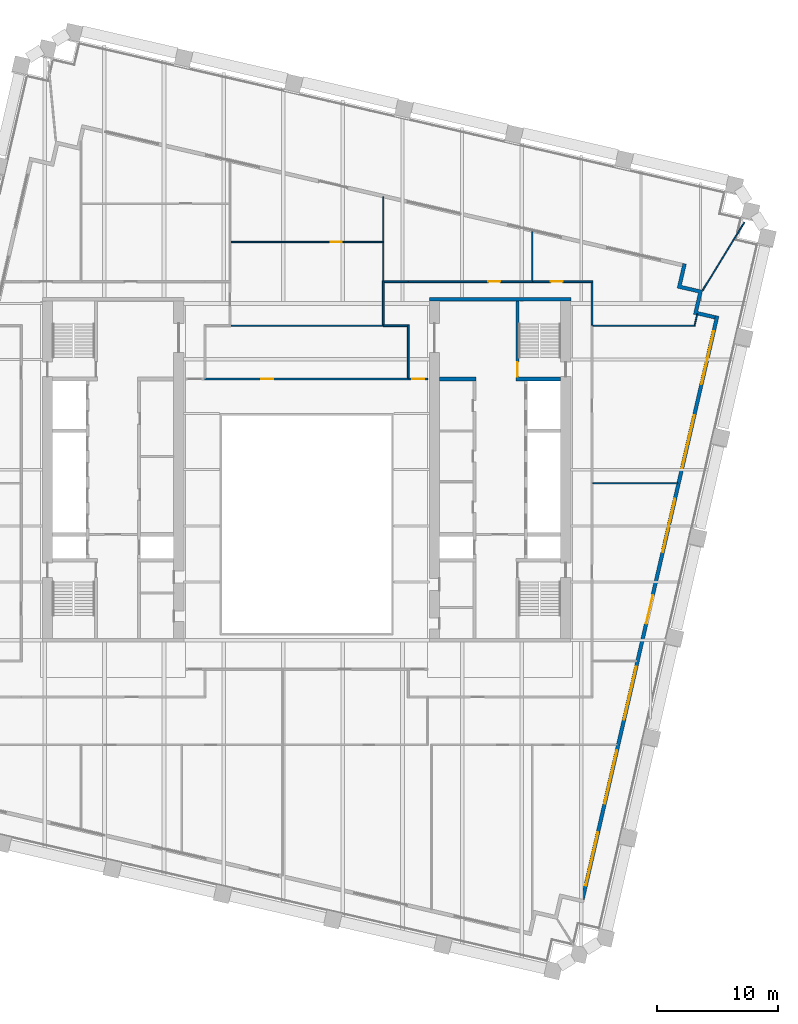
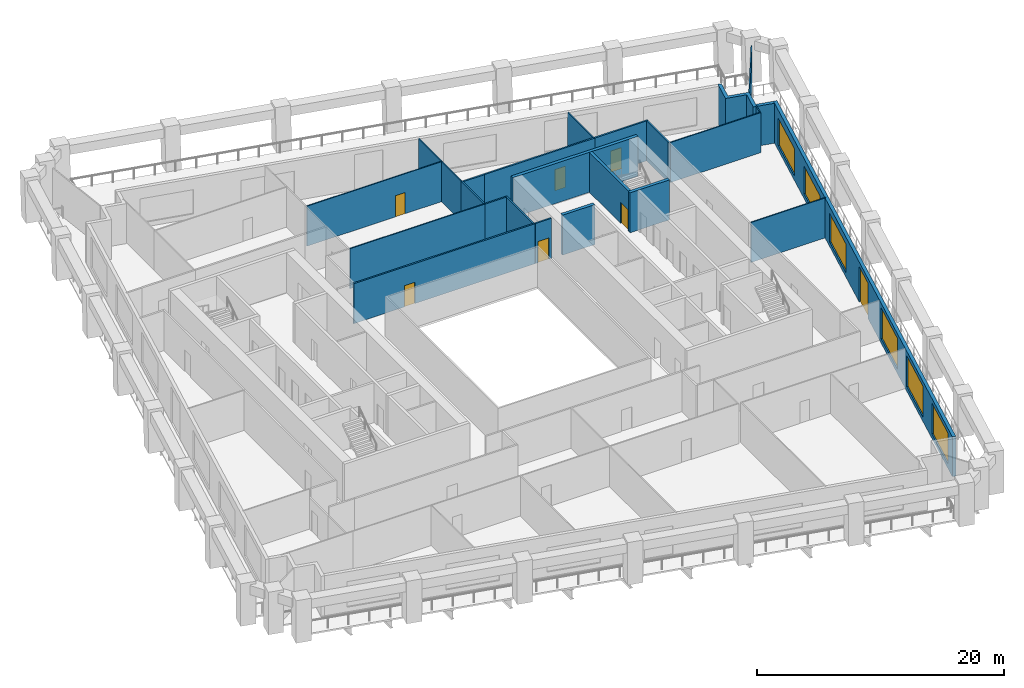
# One storey, part 7 of 10: 24 walls, 7 doors, 6 windows, 13 openings.
"""IFC4 building model written with IfcOpenShell, lengths in metres."""

from ifc_helpers import new_model, si_unit, direction, frame, frame_2d, origin, place, context, subcontext, project, spatial, polyline, rectangle, outline, extrude, material, layer, layer_set, type_object, element, fill, save


model = new_model("IFC4")

# Units and contexts
model_context = context("Model", 3, precision=1e-05, world=origin(), true_north=direction((0.0, 1.0)))
body_context = subcontext(model_context, "Body", "Model", "MODEL_VIEW")
ifc_project = project(units=[si_unit("LENGTHUNIT", "METRE"), si_unit("AREAUNIT", "SQUARE_METRE"), si_unit("VOLUMEUNIT", "CUBIC_METRE"), si_unit("PLANEANGLEUNIT", "RADIAN"), si_unit("MASSUNIT", "GRAM", prefix="KILO")], contexts=[model_context])

# Site, building, storey
site_placement = place(None, origin())
site = spatial("IfcSite", under=ifc_project, at=site_placement, CompositionType="ELEMENT")
building_placement = place(site_placement, origin())
building = spatial("IfcBuilding", under=site, at=building_placement, Name="Ogive Exchange Tower", CompositionType="ELEMENT")
storey_placement = place(building_placement, frame((0.0, 0.0, 151.800048828125)))
storey = spatial("IfcBuildingStorey", under=building, at=storey_placement, Name="L33", CompositionType="ELEMENT", Elevation=151.800048828125)

# Wall
ifc_material_1 = material(Name="Gypsum board partition")
ifc_layer_1 = layer(ifc_material_1, 0.300048828125)
ifc_layer_set_1 = layer_set([ifc_layer_1], Name="Core room partition 300 gypsum")
wall_type_1 = type_object("IfcWallType", Name="Core room partition 300 gypsum", PredefinedType="PARTITIONING", material=ifc_layer_set_1)
wall_1_placement = place(storey_placement, frame((11.0, 19.0, 0.0), z_axis=(0.0, 0.0, 1.0), x_axis=(1.0, 0.0, 0.0)))
element("IfcWall", 1, at=wall_1_placement, inside=storey, type_object=wall_type_1, Name="E row B room end wall 7", PredefinedType="PARTITIONING", context=body_context, shape_type="SweptSolid", body=[
    extrude(rectangle(XDim=3.0, YDim=0.300048828125, at=frame_2d((1.5, 0.0))), origin(), (0.0, 0.0, 1.0), 3.949951171875),
])

# Wall, opening, door
ifc_material_2 = material(Name="Fire partition EI 60 150")
ifc_layer_2 = layer(ifc_material_2, 0.14990234375)
ifc_layer_set_2 = layer_set([ifc_layer_2], Name="Fire partition EI 60 150")
wall_type_2 = type_object("IfcWallType", Name="Fire partition EI 60 150", PredefinedType="PARTITIONING", material=ifc_layer_set_2)
wall_2_placement = place(storey_placement, frame((-8.47509765625, 19.0, 0.0), z_axis=(0.0, 0.0, 1.0), x_axis=(1.0, 0.0, 0.0)))
wall_2 = element("IfcWall", 2, at=wall_2_placement, inside=storey, type_object=wall_type_2, Name="L33-PWL-023", PredefinedType="PARTITIONING", context=body_context, shape_type="SweptSolid", body=[
    extrude(rectangle(XDim=16.9501953125, YDim=0.14990234375, at=frame_2d((8.47509765625, 0.0))), origin(), (0.0, 0.0, 1.0), 3.949951171875),
])
opening_1_placement = place(wall_2_placement, frame((4.72509765625, 0.0, 0.0)))
opening_1 = element("IfcOpeningElement", 3, at=opening_1_placement, cuts=wall_2, Name="Opening L33-I02", PredefinedType="OPENING", context=body_context, shape_type="SweptSolid", body=[
    extrude(rectangle(XDim=1.0, YDim=2.10009765625, at=frame_2d((0.5, 1.050048828125))), frame((0.0, 0.0849609375, 0.0), z_axis=(0.0, -1.0, 0.0), x_axis=(1.0, 0.0, 0.0)), (0.0, 0.0, 1.0), 0.169921875),
])
ifc_material_3 = material(Name="Fire door FD 30S 1000 x 2100")
door_type_1 = type_object("IfcDoorType", Name="Fire door FD 30S 1000 x 2100", OperationType="NOTDEFINED", PredefinedType="DOOR", material=ifc_material_3)
door_1_placement = place(opening_1_placement, origin())
door_1 = element("IfcDoor", 4, at=door_1_placement, inside=storey, type_object=door_type_1, Name="L33-IDR-002", ObjectType="DT3", OperationType="SINGLE_SWING_LEFT", OverallHeight=2.10009765625, OverallWidth=1.0, PredefinedType="DOOR", context=body_context, shape_type="SweptSolid", body=[
    extrude(rectangle(XDim=1.0, YDim=2.10009765625, at=frame_2d((0.5, 1.050048828125))), frame((0.0, 0.02490234375, 0.0), z_axis=(0.0, -1.0, 0.0), x_axis=(1.0, 0.0, 0.0)), (0.0, 0.0, 1.0), 0.050048828125),
])
fill(opening_1, door_1)

# Walls
wall_3_placement = place(storey_placement, frame((6.340087890625, 23.4599609375, 0.0), z_axis=(0.0, 0.0, 1.0), x_axis=(0.0, 1.0, 0.0)))
element("IfcWall", 5, at=wall_3_placement, inside=storey, type_object=wall_type_2, Name="L33-PWL-037", PredefinedType="PARTITIONING", context=body_context, shape_type="SweptSolid", body=[
    extrude(rectangle(XDim=3.655029296875, YDim=0.14990234375, at=frame_2d((1.82763671875, 0.0))), origin(), (0.0, 0.0, 1.0), 3.949951171875),
])
wall_4_placement = place(storey_placement, frame((6.4150390625, 27.0400390625, 0.0), z_axis=(0.0, 0.0, 1.0), x_axis=(1.0, 0.0, 0.0)))
element("IfcWall", 6, at=wall_4_placement, inside=storey, type_object=wall_type_2, Name="L33-PWL-039", PredefinedType="PARTITIONING", context=body_context, shape_type="SweptSolid", body=[
    extrude(rectangle(XDim=1.98486328125, YDim=0.14990234375, at=frame_2d((0.992431640625, 0.0))), origin(), (0.0, 0.0, 1.0), 3.949951171875),
])
wall_5_placement = place(storey_placement, frame((8.39990234375, 19.074951171875, 0.0), z_axis=(0.0, 0.0, 1.0), x_axis=(0.0, 1.0, 0.0)))
element("IfcWall", 7, at=wall_5_placement, inside=storey, type_object=wall_type_2, Name="L33-PWL-043", PredefinedType="PARTITIONING", context=body_context, shape_type="SweptSolid", body=[
    extrude(rectangle(XDim=4.41015625, YDim=0.14990234375, at=frame_2d((2.205078125, 0.0))), origin(), (0.0, 0.0, 1.0), 3.949951171875),
])
wall_6_placement = place(storey_placement, frame((8.324951171875, 23.409912109375, 0.0), z_axis=(0.0, 0.0, 1.0), x_axis=(-1.0, 0.0, 0.0)))
element("IfcWall", 8, at=wall_6_placement, inside=storey, type_object=wall_type_2, Name="L33-PWL-044", PredefinedType="PARTITIONING", context=body_context, shape_type="SweptSolid", body=[
    extrude(rectangle(XDim=1.98486328125, YDim=0.14990234375, at=frame_2d((0.992431640625, 0.0))), origin(), (0.0, 0.0, 1.0), 3.949951171875),
])

# Wall, opening, door
wall_7_placement = place(storey_placement, frame((8.39990234375, 27.050048828125, 0.0), z_axis=(0.0, 0.0, 1.0), x_axis=(1.0, 0.0, 0.0)))
wall_7 = element("IfcWall", 9, at=wall_7_placement, inside=storey, type_object=wall_type_2, Name="L33-PWL-045", PredefinedType="PARTITIONING", context=body_context, shape_type="SweptSolid", body=[
    extrude(rectangle(XDim=10.300048828125, YDim=0.14990234375, at=frame_2d((5.14990234375, 0.0))), origin(), (0.0, 0.0, 1.0), 3.949951171875),
])
opening_2_placement = place(wall_7_placement, frame((6.60009765625, 0.0, 0.0)))
opening_2 = element("IfcOpeningElement", 10, at=opening_2_placement, cuts=wall_7, Name="Opening L33-I05", PredefinedType="OPENING", context=body_context, shape_type="SweptSolid", body=[
    extrude(rectangle(XDim=1.0, YDim=2.10009765625, at=frame_2d((0.5, 1.050048828125))), frame((0.0, 0.0849609375, 0.0), z_axis=(0.0, -1.0, 0.0), x_axis=(1.0, 0.0, 0.0)), (0.0, 0.0, 1.0), 0.169921875),
])
door_2_placement = place(opening_2_placement, origin())
door_2 = element("IfcDoor", 11, at=door_2_placement, inside=storey, type_object=door_type_1, Name="L33-IDR-005", ObjectType="DT3", OperationType="SINGLE_SWING_LEFT", OverallHeight=2.10009765625, OverallWidth=1.0, PredefinedType="DOOR", context=body_context, shape_type="SweptSolid", body=[
    extrude(rectangle(XDim=1.0, YDim=2.10009765625, at=frame_2d((0.5, 1.050048828125))), frame((0.0, 0.02490234375, 0.0), z_axis=(0.0, -1.0, 0.0), x_axis=(1.0, 0.0, 0.0)), (0.0, 0.0, 1.0), 0.050048828125),
])
fill(opening_2, door_2)

wall_8_placement = place(storey_placement, frame((18.699951171875, 27.050048828125, 0.0), z_axis=(0.0, 0.0, 1.0), x_axis=(1.0, 0.0, 0.0)))
wall_8 = element("IfcWall", 12, at=wall_8_placement, inside=storey, type_object=wall_type_2, Name="L33-PWL-053", PredefinedType="PARTITIONING", context=body_context, shape_type="SweptSolid", body=[
    extrude(rectangle(XDim=4.97509765625, YDim=0.14990234375, at=frame_2d((2.487548828125, 0.0))), origin(), (0.0, 0.0, 1.0), 3.949951171875),
])
opening_3_placement = place(wall_8_placement, frame((1.5, 0.0, 0.0)))
opening_3 = element("IfcOpeningElement", 13, at=opening_3_placement, cuts=wall_8, Name="Opening L33-I04", PredefinedType="OPENING", context=body_context, shape_type="SweptSolid", body=[
    extrude(rectangle(XDim=1.0, YDim=2.10009765625, at=frame_2d((0.5, 1.050048828125))), frame((0.0, 0.0849609375, 0.0), z_axis=(0.0, -1.0, 0.0), x_axis=(1.0, 0.0, 0.0)), (0.0, 0.0, 1.0), 0.169921875),
])
door_3_placement = place(opening_3_placement, origin())
door_3 = element("IfcDoor", 14, at=door_3_placement, inside=storey, type_object=door_type_1, Name="L33-IDR-004", ObjectType="DT3", OperationType="SINGLE_SWING_RIGHT", OverallHeight=2.10009765625, OverallWidth=1.0, PredefinedType="DOOR", context=body_context, shape_type="SweptSolid", body=[
    extrude(rectangle(XDim=1.0, YDim=2.10009765625, at=frame_2d((0.5, 1.050048828125))), frame((0.0, 0.02490234375, 0.0), z_axis=(0.0, -1.0, 0.0), x_axis=(1.0, 0.0, 0.0)), (0.0, 0.0, 1.0), 0.050048828125),
])
fill(opening_3, door_3)

# Wall
wall_9_placement = place(storey_placement, frame((23.60009765625, 26.97509765625, 0.0), z_axis=(0.0, 0.0, 1.0), x_axis=(0.0, -1.0, 0.0)))
element("IfcWall", 15, at=wall_9_placement, inside=storey, type_object=wall_type_2, Name="L33-PWL-059", PredefinedType="PARTITIONING", context=body_context, shape_type="SweptSolid", body=[
    extrude(rectangle(XDim=3.51513671875, YDim=0.14990234375, at=frame_2d((1.757568359375, 0.0))), origin(), (0.0, 0.0, 1.0), 3.949951171875),
])

# Wall, opening, door
wall_10_placement = place(storey_placement, frame((8.485107421875, 19.0, 0.0), z_axis=(0.0, 0.0, 1.0), x_axis=(1.0, 0.0, 0.0)))
wall_10 = element("IfcWall", 16, at=wall_10_placement, inside=storey, type_object=wall_type_2, Name="L33-PWL-066", PredefinedType="PARTITIONING", context=body_context, shape_type="SweptSolid", body=[
    extrude(rectangle(XDim=1.514892578125, YDim=0.14990234375, at=frame_2d((0.75732421875, 0.0))), origin(), (0.0, 0.0, 1.0), 3.949951171875),
])
opening_4_placement = place(wall_10_placement, frame((0.258056640625, 0.0, 0.0)))
opening_4 = element("IfcOpeningElement", 17, at=opening_4_placement, cuts=wall_10, Name="Opening L33-I25", PredefinedType="OPENING", context=body_context, shape_type="SweptSolid", body=[
    extrude(rectangle(XDim=1.0, YDim=2.10009765625, at=frame_2d((0.5, 1.050048828125))), frame((0.0, 0.0849609375, 0.0), z_axis=(0.0, -1.0, 0.0), x_axis=(1.0, 0.0, 0.0)), (0.0, 0.0, 1.0), 0.169921875),
])
door_4_placement = place(opening_4_placement, origin())
door_4 = element("IfcDoor", 18, at=door_4_placement, inside=storey, type_object=door_type_1, Name="L33-IDR-025", ObjectType="DT3", OperationType="SINGLE_SWING_RIGHT", OverallHeight=2.10009765625, OverallWidth=1.0, PredefinedType="DOOR", context=body_context, shape_type="SweptSolid", body=[
    extrude(rectangle(XDim=1.0, YDim=2.10009765625, at=frame_2d((0.5, 1.050048828125))), frame((0.0, 0.02490234375, 0.0), z_axis=(0.0, -1.0, 0.0), x_axis=(1.0, 0.0, 0.0)), (0.0, 0.0, 1.0), 0.050048828125),
])
fill(opening_4, door_4)

# Wall, openings, door, windows
ifc_material_4 = material(Name="Precast concrete C40/50", Category="concrete")
ifc_layer_3 = layer(ifc_material_4, 0.300048828125)
ifc_layer_set_3 = layer_set([ifc_layer_3], Name="Limestone-faced wall 300")
wall_type_3 = type_object("IfcWallType", Name="Limestone-faced wall 300", PredefinedType="STANDARD", material=ifc_layer_set_3)
wall_11_placement = place(storey_placement, frame((22.8203125, -24.015625, 0.0), z_axis=(0.0, 0.0, 1.0), x_axis=(0.224953880882, 0.974369412223, 0.0)))
wall_11 = element("IfcWall", 19, at=wall_11_placement, inside=storey, type_object=wall_type_3, Name="External wall E2", PredefinedType="STANDARD", context=body_context, shape_type="SweptSolid", body=[
    extrude(rectangle(XDim=49.500244140625, YDim=0.300048828125, at=frame_2d((24.75, 0.0))), origin(), (0.0, 0.0, 1.0), 3.949951171875),
])
opening_5_placement = place(wall_11_placement, frame((1.156982421875, 0.0, 0.449951171875)))
opening_5 = element("IfcOpeningElement", 20, at=opening_5_placement, cuts=wall_11, Name="Opening W1", PredefinedType="OPENING", context=body_context, shape_type="SweptSolid", body=[
    extrude(rectangle(XDim=4.5, YDim=3.050048828125, at=frame_2d((2.25, 1.52490234375))), frame((0.0, 0.159912109375, 0.0), z_axis=(0.0, -1.0, 0.0), x_axis=(1.0, 0.0, 0.0)), (0.0, 0.0, 1.0), 0.320068359375),
])
opening_6_placement = place(wall_11_placement, frame((8.121337890625, 0.0, 0.449951171875)))
opening_6 = element("IfcOpeningElement", 21, at=opening_6_placement, cuts=wall_11, Name="Opening W1", PredefinedType="OPENING", context=body_context, shape_type="SweptSolid", body=[
    extrude(rectangle(XDim=4.5, YDim=3.050048828125, at=frame_2d((2.25, 1.52490234375))), frame((0.0, 0.159912109375, 0.0), z_axis=(0.0, -1.0, 0.0), x_axis=(1.0, 0.0, 0.0)), (0.0, 0.0, 1.0), 0.320068359375),
])
opening_7_placement = place(wall_11_placement, frame((15.235595703125, 0.0, 0.449951171875)))
opening_7 = element("IfcOpeningElement", 22, at=opening_7_placement, cuts=wall_11, Name="Opening W1", PredefinedType="OPENING", context=body_context, shape_type="SweptSolid", body=[
    extrude(rectangle(XDim=4.5, YDim=3.050048828125, at=frame_2d((2.25, 1.52490234375))), frame((0.0, 0.159912109375, 0.0), z_axis=(0.0, -1.0, 0.0), x_axis=(1.0, 0.0, 0.0)), (0.0, 0.0, 1.0), 0.320068359375),
])
opening_8_placement = place(wall_11_placement, frame((23.39990234375, 0.0, 0.0)))
opening_8 = element("IfcOpeningElement", 23, at=opening_8_placement, cuts=wall_11, Name="Opening D1", PredefinedType="OPENING", context=body_context, shape_type="SweptSolid", body=[
    extrude(rectangle(XDim=2.39990234375, YDim=3.5, at=frame_2d((1.199951171875, 1.75))), frame((0.0, 0.159912109375, 0.0), z_axis=(0.0, -1.0, 0.0), x_axis=(1.0, 0.0, 0.0)), (0.0, 0.0, 1.0), 0.320068359375),
])
opening_9_placement = place(wall_11_placement, frame((29.464111328125, 0.0, 0.449951171875)))
opening_9 = element("IfcOpeningElement", 24, at=opening_9_placement, cuts=wall_11, Name="Opening W1E", PredefinedType="OPENING", context=body_context, shape_type="SweptSolid", body=[
    extrude(rectangle(XDim=4.5, YDim=2.824951171875, at=frame_2d((2.25, 1.41259765625))), frame((0.0, 0.159912109375, 0.0), z_axis=(0.0, -1.0, 0.0), x_axis=(1.0, 0.0, 0.0)), (0.0, 0.0, 1.0), 0.320068359375),
])
opening_10_placement = place(wall_11_placement, frame((36.57861328125, 0.0, 0.449951171875)))
opening_10 = element("IfcOpeningElement", 25, at=opening_10_placement, cuts=wall_11, Name="Opening W1G", PredefinedType="OPENING", context=body_context, shape_type="SweptSolid", body=[
    extrude(rectangle(XDim=4.5, YDim=2.77490234375, at=frame_2d((2.25, 1.387451171875))), frame((0.0, 0.159912109375, 0.0), z_axis=(0.0, -1.0, 0.0), x_axis=(1.0, 0.0, 0.0)), (0.0, 0.0, 1.0), 0.320068359375),
])
opening_11_placement = place(wall_11_placement, frame((43.69287109375, 0.0, 0.449951171875)))
opening_11 = element("IfcOpeningElement", 26, at=opening_11_placement, cuts=wall_11, Name="Opening W1I", PredefinedType="OPENING", context=body_context, shape_type="SweptSolid", body=[
    extrude(rectangle(XDim=4.5, YDim=2.699951171875, at=frame_2d((2.25, 1.35009765625))), frame((0.0, 0.159912109375, 0.0), z_axis=(0.0, -1.0, 0.0), x_axis=(1.0, 0.0, 0.0)), (0.0, 0.0, 1.0), 0.320068359375),
])
ifc_material_5 = material(Name="Clear glass in bronze frame", Category="glass")
door_type_2 = type_object("IfcDoorType", Name="Sliding loggia door 2400 x 3500", OperationType="DOUBLE_DOOR_SLIDING", PredefinedType="DOOR", material=ifc_material_5)
door_5_placement = place(opening_8_placement, origin())
door_5 = element("IfcDoor", 27, at=door_5_placement, inside=storey, type_object=door_type_2, Name="Loggia door E03", OperationType="DOUBLE_DOOR_SLIDING", OverallHeight=3.5, OverallWidth=2.39990234375, PredefinedType="DOOR", context=body_context, shape_type="SweptSolid", body=[
    extrude(rectangle(XDim=2.39990234375, YDim=3.5, at=frame_2d((1.199951171875, 1.75))), frame((0.0, 0.02490234375, 0.0), z_axis=(0.0, -1.0, 0.0), x_axis=(1.0, 0.0, 0.0)), (0.0, 0.0, 1.0), 0.050048828125),
])
fill(opening_8, door_5)
window_type_1 = type_object("IfcWindowType", Name="Twin lancet window 4500 x 2700", PartitioningType="DOUBLE_PANEL_VERTICAL", PredefinedType="WINDOW", material=ifc_material_5)
window_1_placement = place(opening_11_placement, origin())
window_1 = element("IfcWindow", 28, at=window_1_placement, inside=storey, type_object=window_type_1, Name="Window E06", OverallHeight=2.699951171875, OverallWidth=4.5, PartitioningType="DOUBLE_PANEL_VERTICAL", PredefinedType="WINDOW", context=body_context, shape_type="SweptSolid", body=[
    extrude(rectangle(XDim=4.5, YDim=2.699951171875, at=frame_2d((2.25, 1.35009765625))), frame((0.0, 0.030029296875, 0.0), z_axis=(0.0, -1.0, 0.0), x_axis=(1.0, 0.0, 0.0)), (0.0, 0.0, 1.0), 0.06005859375),
])
fill(opening_11, window_1)
window_type_2 = type_object("IfcWindowType", Name="Twin lancet window 4500 x 2775", PartitioningType="DOUBLE_PANEL_VERTICAL", PredefinedType="WINDOW", material=ifc_material_5)
window_2_placement = place(opening_10_placement, origin())
window_2 = element("IfcWindow", 29, at=window_2_placement, inside=storey, type_object=window_type_2, Name="Window E05", OverallHeight=2.77490234375, OverallWidth=4.5, PartitioningType="DOUBLE_PANEL_VERTICAL", PredefinedType="WINDOW", context=body_context, shape_type="SweptSolid", body=[
    extrude(rectangle(XDim=4.5, YDim=2.77490234375, at=frame_2d((2.25, 1.387451171875))), frame((0.0, 0.030029296875, 0.0), z_axis=(0.0, -1.0, 0.0), x_axis=(1.0, 0.0, 0.0)), (0.0, 0.0, 1.0), 0.06005859375),
])
fill(opening_10, window_2)
window_type_3 = type_object("IfcWindowType", Name="Twin lancet window 4500 x 2825", PartitioningType="DOUBLE_PANEL_VERTICAL", PredefinedType="WINDOW", material=ifc_material_5)
window_3_placement = place(opening_9_placement, origin())
window_3 = element("IfcWindow", 30, at=window_3_placement, inside=storey, type_object=window_type_3, Name="Window E04", OverallHeight=2.824951171875, OverallWidth=4.5, PartitioningType="DOUBLE_PANEL_VERTICAL", PredefinedType="WINDOW", context=body_context, shape_type="SweptSolid", body=[
    extrude(rectangle(XDim=4.5, YDim=2.824951171875, at=frame_2d((2.25, 1.41259765625))), frame((0.0, 0.030029296875, 0.0), z_axis=(0.0, -1.0, 0.0), x_axis=(1.0, 0.0, 0.0)), (0.0, 0.0, 1.0), 0.06005859375),
])
fill(opening_9, window_3)
window_type_4 = type_object("IfcWindowType", Name="Twin lancet window 4500 x 3050", PartitioningType="DOUBLE_PANEL_VERTICAL", PredefinedType="WINDOW", material=ifc_material_5)
window_4_placement = place(opening_5_placement, origin())
window_4 = element("IfcWindow", 31, at=window_4_placement, inside=storey, type_object=window_type_4, Name="Window E00", OverallHeight=3.050048828125, OverallWidth=4.5, PartitioningType="DOUBLE_PANEL_VERTICAL", PredefinedType="WINDOW", context=body_context, shape_type="SweptSolid", body=[
    extrude(rectangle(XDim=4.5, YDim=3.050048828125, at=frame_2d((2.25, 1.52490234375))), frame((0.0, 0.030029296875, 0.0), z_axis=(0.0, -1.0, 0.0), x_axis=(1.0, 0.0, 0.0)), (0.0, 0.0, 1.0), 0.06005859375),
])
fill(opening_5, window_4)
window_5_placement = place(opening_6_placement, origin())
window_5 = element("IfcWindow", 32, at=window_5_placement, inside=storey, type_object=window_type_4, Name="Window E01", OverallHeight=3.050048828125, OverallWidth=4.5, PartitioningType="DOUBLE_PANEL_VERTICAL", PredefinedType="WINDOW", context=body_context, shape_type="SweptSolid", body=[
    extrude(rectangle(XDim=4.5, YDim=3.050048828125, at=frame_2d((2.25, 1.52490234375))), frame((0.0, 0.030029296875, 0.0), z_axis=(0.0, -1.0, 0.0), x_axis=(1.0, 0.0, 0.0)), (0.0, 0.0, 1.0), 0.06005859375),
])
fill(opening_6, window_5)
window_6_placement = place(opening_7_placement, origin())
window_6 = element("IfcWindow", 33, at=window_6_placement, inside=storey, type_object=window_type_4, Name="Window E02", OverallHeight=3.050048828125, OverallWidth=4.5, PartitioningType="DOUBLE_PANEL_VERTICAL", PredefinedType="WINDOW", context=body_context, shape_type="SweptSolid", body=[
    extrude(rectangle(XDim=4.5, YDim=3.050048828125, at=frame_2d((2.25, 1.52490234375))), frame((0.0, 0.030029296875, 0.0), z_axis=(0.0, -1.0, 0.0), x_axis=(1.0, 0.0, 0.0)), (0.0, 0.0, 1.0), 0.06005859375),
])
fill(opening_7, window_6)

# Walls
wall_12_placement = place(storey_placement, origin())
element("IfcWall", 34, at=wall_12_placement, inside=storey, type_object=wall_type_3, Name="External corner wall C2", PredefinedType="STANDARD", context=body_context, shape_type="SweptSolid", body=[
    extrude(outline(polyline([(32.392822265625, 26.115966796875), (30.638916015625, 26.52099609375), (31.111328125, 28.56689453125), (31.40380859375, 28.49951171875), (30.998779296875, 26.74560546875), (32.752685546875, 26.3408203125), (32.34765625, 24.5869140625), (33.809326171875, 24.24951171875), (33.74169921875, 23.957275390625), (31.98779296875, 24.362060546875), (32.392822265625, 26.115966796875)])), origin(), (0.0, 0.0, 1.0), 3.949951171875),
])
ifc_material_6 = material(Name="Laminated safety glass in steel frame", Category="steel")
ifc_layer_4 = layer(ifc_material_6, 0.10009765625)
ifc_layer_set_4 = layer_set([ifc_layer_4], Name="Loggia end screen 100")
wall_type_4 = type_object("IfcWallType", Name="Loggia end screen 100", PredefinedType="STANDARD", material=ifc_layer_set_4)
wall_13_placement = place(storey_placement, frame((32.752685546875, 26.3408203125, -0.050048828125), z_axis=(0.0, 0.0, 1.0), x_axis=(0.523477971455, 0.85203920884, 0.0)))
element("IfcWall", 35, at=wall_13_placement, inside=storey, type_object=wall_type_4, Name="Loggia end screen C2", PredefinedType="STANDARD", context=body_context, shape_type="SweptSolid", body=[
    extrude(rectangle(XDim=6.598388671875, YDim=0.10009765625, at=frame_2d((3.29931640625, 0.0))), origin(), (0.0, 0.0, 1.0), 4.0),
])
ifc_material_7 = material(Name="Partition 100 gypsum")
ifc_layer_5 = layer(ifc_material_7, 0.10009765625)
ifc_layer_set_5 = layer_set([ifc_layer_5], Name="Partition 100 gypsum")
wall_type_5 = type_object("IfcWallType", Name="Partition 100 gypsum", PredefinedType="PARTITIONING", material=ifc_layer_set_5)
wall_14_placement = place(storey_placement, frame((-6.264892578125, 23.409912109375, 0.0), z_axis=(0.0, 0.0, 1.0), x_axis=(1.0, 0.0, 0.0)))
element("IfcWall", 36, at=wall_14_placement, inside=storey, type_object=wall_type_5, Name="L33-PWL-027", PredefinedType="PARTITIONING", context=body_context, shape_type="SweptSolid", body=[
    extrude(rectangle(XDim=12.60498046875, YDim=0.10009765625, at=frame_2d((6.302490234375, 0.0))), origin(), (0.0, 0.0, 1.0), 3.949951171875),
])

# Wall, opening, door
wall_15_placement = place(storey_placement, frame((-6.2900390625, 30.340087890625, 0.0), z_axis=(0.0, 0.0, 1.0), x_axis=(1.0, 0.0, 0.0)))
wall_15 = element("IfcWall", 37, at=wall_15_placement, inside=storey, type_object=wall_type_5, Name="L33-PWL-031", PredefinedType="PARTITIONING", context=body_context, shape_type="SweptSolid", body=[
    extrude(rectangle(XDim=12.679931640625, YDim=0.10009765625, at=frame_2d((6.33984375, 0.0))), origin(), (0.0, 0.0, 1.0), 3.949951171875),
])
opening_12_placement = place(wall_15_placement, frame((8.280029296875, 0.0, 0.0)))
opening_12 = element("IfcOpeningElement", 38, at=opening_12_placement, cuts=wall_15, Name="Opening L33-I07", PredefinedType="OPENING", context=body_context, shape_type="SweptSolid", body=[
    extrude(rectangle(XDim=0.89990234375, YDim=2.10009765625, at=frame_2d((0.449951171875, 1.050048828125))), frame((0.0, 0.06005859375, 0.0), z_axis=(0.0, -1.0, 0.0), x_axis=(1.0, 0.0, 0.0)), (0.0, 0.0, 1.0), 0.1201171875),
])
ifc_material_8 = material(Name="Door 900 x 2100")
door_type_3 = type_object("IfcDoorType", Name="Door 900 x 2100", OperationType="NOTDEFINED", PredefinedType="DOOR", material=ifc_material_8)
door_6_placement = place(opening_12_placement, origin())
door_6 = element("IfcDoor", 39, at=door_6_placement, inside=storey, type_object=door_type_3, Name="L33-IDR-007", ObjectType="DT1", OperationType="SINGLE_SWING_LEFT", OverallHeight=2.10009765625, OverallWidth=0.89990234375, PredefinedType="DOOR", context=body_context, shape_type="SweptSolid", body=[
    extrude(rectangle(XDim=0.89990234375, YDim=2.10009765625, at=frame_2d((0.449951171875, 1.050048828125))), frame((0.0, 0.02490234375, 0.0), z_axis=(0.0, -1.0, 0.0), x_axis=(1.0, 0.0, 0.0)), (0.0, 0.0, 1.0), 0.050048828125),
])
fill(opening_12, door_6)

# Walls
wall_16_placement = place(storey_placement, frame((6.340087890625, 27.114990234375, 0.0), z_axis=(0.0, 0.0, 1.0), x_axis=(0.0, 1.0, 0.0)))
element("IfcWall", 40, at=wall_16_placement, inside=storey, type_object=wall_type_5, Name="L33-PWL-038", PredefinedType="PARTITIONING", context=body_context, shape_type="SweptSolid", body=[
    extrude(rectangle(XDim=3.175048828125, YDim=0.10009765625, at=frame_2d((1.58740234375, 0.0))), origin(), (0.0, 0.0, 1.0), 3.949951171875),
])
wall_17_placement = place(storey_placement, frame((6.340087890625, 30.389892578125, 0.0), z_axis=(0.0, 0.0, 1.0), x_axis=(0.0, 1.0, 0.0)))
element("IfcWall", 41, at=wall_17_placement, inside=storey, type_object=wall_type_5, Name="L33-PWL-040", PredefinedType="PARTITIONING", context=body_context, shape_type="SweptSolid", body=[
    extrude(rectangle(XDim=3.671142578125, YDim=0.10009765625, at=frame_2d((1.83544921875, 0.0))), origin(), (0.0, 0.0, 1.0), 3.949951171875),
])
wall_18_placement = place(storey_placement, frame((18.64990234375, 27.125, 0.0), z_axis=(0.0, 0.0, 1.0), x_axis=(0.0, 1.0, 0.0)))
element("IfcWall", 42, at=wall_18_placement, inside=storey, type_object=wall_type_5, Name="L33-PWL-052", PredefinedType="PARTITIONING", context=body_context, shape_type="SweptSolid", body=[
    extrude(rectangle(XDim=4.093994140625, YDim=0.10009765625, at=frame_2d((2.046875, 0.0))), origin(), (0.0, 0.0, 1.0), 3.949951171875),
])
wall_19_placement = place(storey_placement, frame((23.675048828125, 23.409912109375, 0.0), z_axis=(0.0, 0.0, 1.0), x_axis=(1.0, 0.0, 0.0)))
element("IfcWall", 43, at=wall_19_placement, inside=storey, type_object=wall_type_5, Name="L33-PWL-058", PredefinedType="PARTITIONING", context=body_context, shape_type="SweptSolid", body=[
    extrude(rectangle(XDim=8.454833984375, YDim=0.10009765625, at=frame_2d((4.2275390625, 0.0))), origin(), (0.0, 0.0, 1.0), 3.949951171875),
])
wall_20_placement = place(storey_placement, frame((30.69189453125, 10.389892578125, 0.0), z_axis=(0.0, 0.0, 1.0), x_axis=(-1.0, 0.0, 0.0)))
element("IfcWall", 44, at=wall_20_placement, inside=storey, type_object=wall_type_5, Name="L33-PWL-062", PredefinedType="PARTITIONING", context=body_context, shape_type="SweptSolid", body=[
    extrude(rectangle(XDim=7.016845703125, YDim=0.10009765625, at=frame_2d((3.50830078125, 0.0))), origin(), (0.0, 0.0, 1.0), 3.949951171875),
])
wall_21_placement = place(storey_placement, frame((32.091064453125, 23.458984375, 0.0), z_axis=(0.0, 0.0, 1.0), x_axis=(0.223406444343, 0.97472537703, 0.0)))
element("IfcWall", 45, at=wall_21_placement, inside=storey, type_object=wall_type_5, Name="L33-PWL-063", PredefinedType="PARTITIONING", context=body_context, shape_type="SweptSolid", body=[
    extrude(rectangle(XDim=0.957275390625, YDim=0.10009765625, at=frame_2d((0.478515625, 0.0))), origin(), (0.0, 0.0, 1.0), 3.949951171875),
])

# Wall, opening, door
ifc_material_9 = material(Name="Concrete C70/85", Category="concrete")
ifc_layer_6 = layer(ifc_material_9, 0.25)
ifc_layer_set_6 = layer_set([ifc_layer_6], Name="RC core wall 250 C70/85")
wall_type_6 = type_object("IfcWallType", Name="RC core wall 250 C70/85", PredefinedType="SHEAR", material=ifc_layer_set_6)
wall_22_placement = place(storey_placement, frame((17.425048828125, 19.14990234375, 0.0), z_axis=(0.0, 0.0, 1.0), x_axis=(0.0, 1.0, 0.0)))
wall_22 = element("IfcWall", 46, at=wall_22_placement, inside=storey, type_object=wall_type_6, Name="E stair N front wall", PredefinedType="SHEAR", context=body_context, shape_type="SweptSolid", body=[
    extrude(rectangle(XDim=6.300048828125, YDim=0.25, at=frame_2d((3.14990234375, 0.0))), origin(), (0.0, 0.0, 1.0), 3.949951171875),
])
opening_13_placement = place(wall_22_placement, frame((0.050048828125, 0.0, 0.0)))
opening_13 = element("IfcOpeningElement", 47, at=opening_13_placement, cuts=wall_22, Name="Opening L33-C34", PredefinedType="OPENING", context=body_context, shape_type="SweptSolid", body=[
    extrude(rectangle(XDim=1.199951171875, YDim=2.10009765625, at=frame_2d((0.60009765625, 1.050048828125))), frame((0.0, 0.135009765625, 0.0), z_axis=(0.0, -1.0, 0.0), x_axis=(1.0, 0.0, 0.0)), (0.0, 0.0, 1.0), 0.27001953125),
])
ifc_material_10 = material(Name="Steel fire door", Category="steel")
door_type_4 = type_object("IfcDoorType", Name="Stair door FD90 1200 x 2100", OperationType="NOTDEFINED", PredefinedType="DOOR", material=ifc_material_10)
door_7_placement = place(opening_13_placement, frame((1.199951171875, 0.0, 0.0), z_axis=(0.0, 0.0, 1.0), x_axis=(-1.0, 0.0, 0.0)))
door_7 = element("IfcDoor", 48, at=door_7_placement, inside=storey, type_object=door_type_4, Name="Stair door", ObjectType="CD5", OperationType="SINGLE_SWING_LEFT", OverallHeight=2.10009765625, OverallWidth=1.199951171875, PredefinedType="DOOR", context=body_context, shape_type="SweptSolid", body=[
    extrude(rectangle(XDim=1.199951171875, YDim=2.10009765625, at=frame_2d((0.60009765625, 1.050048828125))), frame((0.0, 0.02490234375, 0.0), z_axis=(0.0, -1.0, 0.0), x_axis=(1.0, 0.0, 0.0)), (0.0, 0.0, 1.0), 0.050048828125),
])
fill(opening_13, door_7)

# Walls
ifc_layer_7 = layer(ifc_material_9, 0.300048828125)
ifc_layer_set_7 = layer_set([ifc_layer_7], Name="RC core wall 300 C70/85")
wall_type_7 = type_object("IfcWallType", Name="RC core wall 300 C70/85", PredefinedType="SHEAR", material=ifc_layer_set_7)
wall_23_placement = place(storey_placement, frame((10.14990234375, 25.60009765625, 0.0), z_axis=(0.0, 0.0, 1.0), x_axis=(1.0, 0.0, 0.0)))
element("IfcWall", 49, at=wall_23_placement, inside=storey, type_object=wall_type_7, Name="E north end wall", PredefinedType="SHEAR", context=body_context, shape_type="SweptSolid", body=[
    extrude(rectangle(XDim=11.7001953125, YDim=0.300048828125, at=frame_2d((5.85009765625, 0.0))), origin(), (0.0, 0.0, 1.0), 3.949951171875),
])
wall_24_placement = place(storey_placement, frame((17.300048828125, 19.0, 0.0), z_axis=(0.0, 0.0, 1.0), x_axis=(1.0, 0.0, 0.0)))
element("IfcWall", 50, at=wall_24_placement, inside=storey, type_object=wall_type_7, Name="E stair N south wall", PredefinedType="SHEAR", context=body_context, shape_type="SweptSolid", body=[
    extrude(rectangle(XDim=3.699951171875, YDim=0.300048828125, at=frame_2d((1.85009765625, 0.0))), origin(), (0.0, 0.0, 1.0), 3.949951171875),
])

save(model, "model.ifc")
